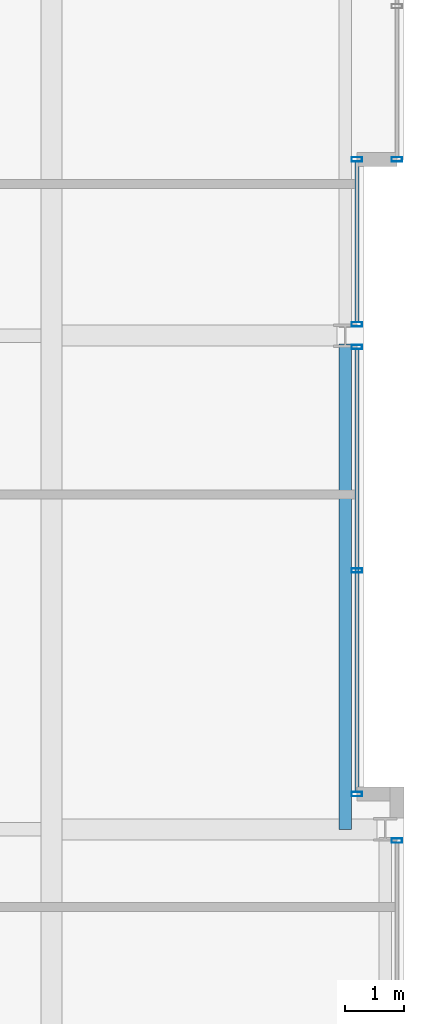
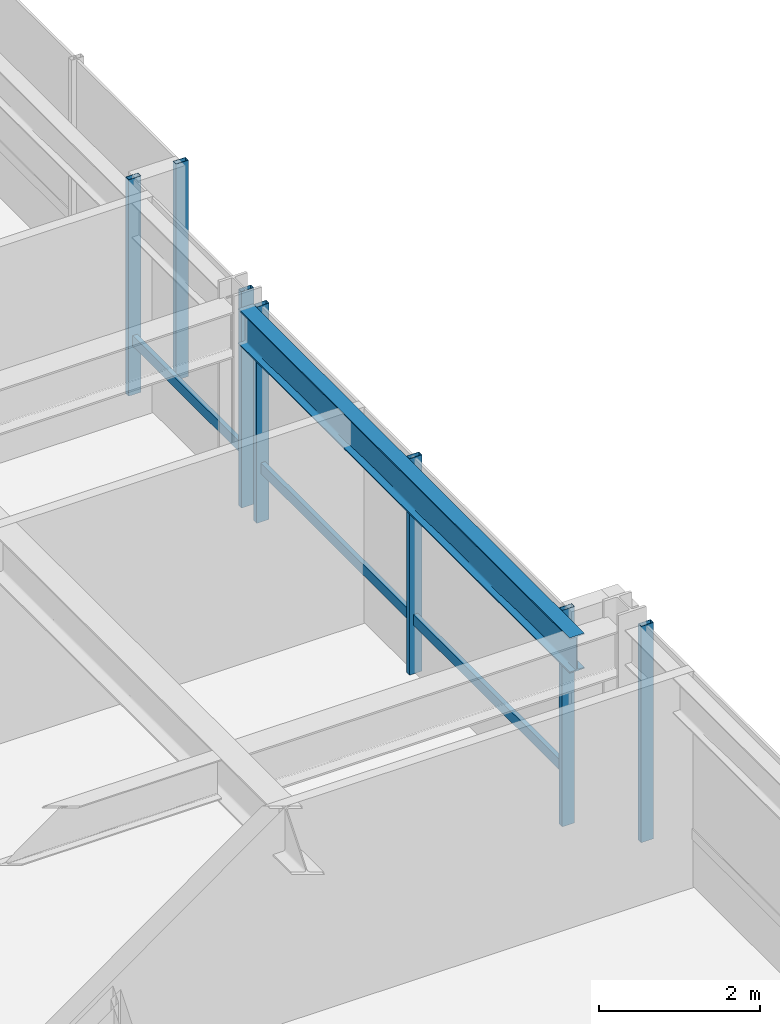
# One storey, part 15 of 32: 9 members, 1 beam, 4 elements without a shape of their own.
"""IFC4 building model written with IfcOpenShell, lengths in metres."""

from ifc_helpers import new_model, si_unit, direction, frame, origin, origin_2d, place, context, subcontext, project, spatial, hollow_rectangle, i_section, extrude, material, layer, layer_set, material_profile, profile_set, type_object, element, aggregate, save


model = new_model("IFC4")

# Units and contexts
model_context = context("Model", 3, precision=1e-05, world=origin(), true_north=direction((0.0, 1.0)))
body_context = subcontext(model_context, "Body", "Model", "MODEL_VIEW")
ifc_project = project(units=[si_unit("LENGTHUNIT", "METRE"), si_unit("AREAUNIT", "SQUARE_METRE"), si_unit("VOLUMEUNIT", "CUBIC_METRE"), si_unit("PLANEANGLEUNIT", "RADIAN"), si_unit("MASSUNIT", "GRAM", prefix="KILO")], contexts=[model_context])

# Site, building, storey
site_placement = place(None, origin())
site = spatial("IfcSite", under=ifc_project, at=site_placement, CompositionType="ELEMENT")
building_placement = place(site_placement, origin())
building = spatial("IfcBuilding", under=site, at=building_placement, Name="Drelvath Grand Hotel", CompositionType="ELEMENT")
storey_placement = place(building_placement, frame((0.0, 0.0, 193.0)))
storey = spatial("IfcBuildingStorey", under=building, at=storey_placement, Name="L50", CompositionType="ELEMENT", Elevation=193.0)

# Curtain wall, member
ifc_material_1 = material(Name="Brushed Pale-Silver Anodised Aluminium Frame", Category="aluminium")
ifc_layer = layer(ifc_material_1, 0.199951171875)
ifc_layer_set = layer_set([ifc_layer], Name="Brushed Pale-Silver Anodised Aluminium Frame")
curtain_wall_type = type_object("IfcCurtainWallType", Name="Stick Curtain Wall CW-04 Brushed Silver Upper-Mid", PredefinedType="NOTDEFINED", material=ifc_layer_set)
curtain_wall_1_placement = place(storey_placement, origin())
curtain_wall_1 = element("IfcCurtainWall", 1, at=curtain_wall_1_placement, inside=storey, type_object=curtain_wall_type, Name="L50 CW-04 Curtain Wall CW04-L50-EM1", PredefinedType="NOTDEFINED")
ifc_material_profile_1 = material_profile(ifc_material_1, hollow_rectangle(XDim=0.06494140625, YDim=0.159912109375, WallThickness=0.00390625, at=origin_2d()), Name="HSS160X65X4")
ifc_profile_set_1 = profile_set([ifc_material_profile_1], Name="Brushed Pale-Silver Anodised Aluminium Frame")
member_type_1 = type_object("IfcMemberType", Name="Curtain Wall Horizontal Transom CW-04 HSS160X65X4", PredefinedType="USERDEFINED", material=ifc_profile_set_1)
member_1_placement = place(storey_placement, frame((21.39990234375, 26.768310546875, 0.822509765625), z_axis=(0.0, -1.0, 0.0), x_axis=(1.0, 0.0, 0.0)))
member_1 = element("IfcMember", 2, at=member_1_placement, type_object=member_type_1, Name="CW04-L50-EM1 Sill Transom", ObjectType="TRANSOM", PredefinedType="USERDEFINED", context=body_context, shape_type="SweptSolid", body=[
    extrude(hollow_rectangle(XDim=0.06494140625, YDim=0.159912109375, WallThickness=0.00390625, at=origin_2d()), origin(), (0.0, 0.0, 1.0), 7.5283203125),
])

curtain_wall_2_placement = place(storey_placement, origin())
curtain_wall_2 = element("IfcCurtainWall", 3, at=curtain_wall_2_placement, inside=storey, type_object=curtain_wall_type, Name="L50 CW-04 Curtain Wall CW04-L50-EM2", PredefinedType="NOTDEFINED")
member_2_placement = place(storey_placement, frame((21.39990234375, 29.9599609375, 0.822509765625), z_axis=(0.0, -1.0, 0.0), x_axis=(1.0, 0.0, 0.0)))
member_2 = element("IfcMember", 4, at=member_2_placement, type_object=member_type_1, Name="CW04-L50-EM2 Sill Transom", ObjectType="TRANSOM", PredefinedType="USERDEFINED", context=body_context, shape_type="SweptSolid", body=[
    extrude(hollow_rectangle(XDim=0.06494140625, YDim=0.159912109375, WallThickness=0.00390625, at=origin_2d()), origin(), (0.0, 0.0, 1.0), 2.728271484375),
])

curtain_wall_3_placement = place(storey_placement, origin())
curtain_wall_3 = element("IfcCurtainWall", 5, at=curtain_wall_3_placement, inside=storey, type_object=curtain_wall_type, Name="L50 CW-04 Curtain Wall CW04-L50-EN1", PredefinedType="NOTDEFINED")
ifc_material_profile_2 = material_profile(ifc_material_1, hollow_rectangle(XDim=0.074951171875, YDim=0.179931640625, WallThickness=0.0048828125, at=origin_2d()), Name="HSS180X75X5")
ifc_profile_set_2 = profile_set([ifc_material_profile_2], Name="Brushed Pale-Silver Anodised Aluminium Frame")
member_type_2 = type_object("IfcMemberType", Name="Curtain Wall Vertical Mullion CW-04 HSS180X75X5", PredefinedType="MULLION", material=ifc_profile_set_2)
member_3_placement = place(storey_placement, frame((22.080078125, 30.0, 0.0), z_axis=(0.0, 0.0, 1.0), x_axis=(0.0, 1.0, 0.0)))
member_3 = element("IfcMember", 6, at=member_3_placement, type_object=member_type_2, Name="CW04-L50-EN1 Mullion 3", PredefinedType="MULLION", context=body_context, shape_type="SweptSolid", body=[
    extrude(hollow_rectangle(XDim=0.074951171875, YDim=0.179931640625, WallThickness=0.0048828125, at=origin_2d()), origin(), (0.0, 0.0, 1.0), 3.2900390625),
])
aggregate(curtain_wall_3, [member_3])

# Member
member_4_placement = place(storey_placement, frame((21.39990234375, 26.808349609375, 0.0), z_axis=(0.0, 0.0, 1.0), x_axis=(0.0, 1.0, 0.0)))
member_4 = element("IfcMember", 7, at=member_4_placement, type_object=member_type_2, Name="CW04-L50-EM1 Mullion 1", PredefinedType="MULLION", context=body_context, shape_type="SweptSolid", body=[
    extrude(hollow_rectangle(XDim=0.074951171875, YDim=0.179931640625, WallThickness=0.0048828125, at=origin_2d()), origin(), (0.0, 0.0, 1.0), 3.2900390625),
])

member_5_placement = place(storey_placement, frame((21.39990234375, 23.004150390625, 0.0), z_axis=(0.0, 0.0, 1.0), x_axis=(0.0, 1.0, 0.0)))
member_5 = element("IfcMember", 8, at=member_5_placement, type_object=member_type_2, Name="CW04-L50-EM1 Mullion 2", PredefinedType="MULLION", context=body_context, shape_type="SweptSolid", body=[
    extrude(hollow_rectangle(XDim=0.074951171875, YDim=0.179931640625, WallThickness=0.0048828125, at=origin_2d()), origin(), (0.0, 0.0, 1.0), 3.2900390625),
])

member_6_placement = place(storey_placement, frame((21.39990234375, 19.199951171875, 0.0), z_axis=(0.0, 0.0, 1.0), x_axis=(0.0, 1.0, 0.0)))
member_6 = element("IfcMember", 9, at=member_6_placement, type_object=member_type_2, Name="CW04-L50-EM1 Mullion 3", PredefinedType="MULLION", context=body_context, shape_type="SweptSolid", body=[
    extrude(hollow_rectangle(XDim=0.074951171875, YDim=0.179931640625, WallThickness=0.0048828125, at=origin_2d()), origin(), (0.0, 0.0, 1.0), 3.2900390625),
])

aggregate(curtain_wall_1, [member_4, member_5, member_6, member_1])

member_7_placement = place(storey_placement, frame((21.39990234375, 30.0, 0.0), z_axis=(0.0, 0.0, 1.0), x_axis=(0.0, 1.0, 0.0)))
member_7 = element("IfcMember", 10, at=member_7_placement, type_object=member_type_2, Name="CW04-L50-EM2 Mullion 1", PredefinedType="MULLION", context=body_context, shape_type="SweptSolid", body=[
    extrude(hollow_rectangle(XDim=0.074951171875, YDim=0.179931640625, WallThickness=0.0048828125, at=origin_2d()), origin(), (0.0, 0.0, 1.0), 3.2900390625),
])

member_8_placement = place(storey_placement, frame((21.39990234375, 27.191650390625, 0.0), z_axis=(0.0, 0.0, 1.0), x_axis=(0.0, 1.0, 0.0)))
member_8 = element("IfcMember", 11, at=member_8_placement, type_object=member_type_2, Name="CW04-L50-EM2 Mullion 2", PredefinedType="MULLION", context=body_context, shape_type="SweptSolid", body=[
    extrude(hollow_rectangle(XDim=0.074951171875, YDim=0.179931640625, WallThickness=0.0048828125, at=origin_2d()), origin(), (0.0, 0.0, 1.0), 3.2900390625),
])

aggregate(curtain_wall_2, [member_7, member_8, member_2])

# Curtain wall, member
curtain_wall_4_placement = place(storey_placement, origin())
curtain_wall_4 = element("IfcCurtainWall", 12, at=curtain_wall_4_placement, inside=storey, type_object=curtain_wall_type, Name="L50 CW-04 Curtain Wall CW04-L50-ES2", PredefinedType="NOTDEFINED")
member_9_placement = place(storey_placement, frame((22.080078125, 18.408447265625, 0.0), z_axis=(0.0, 0.0, 1.0), x_axis=(0.0, 1.0, 0.0)))
member_9 = element("IfcMember", 13, at=member_9_placement, type_object=member_type_2, Name="CW04-L50-ES2 Mullion 1", PredefinedType="MULLION", context=body_context, shape_type="SweptSolid", body=[
    extrude(hollow_rectangle(XDim=0.074951171875, YDim=0.179931640625, WallThickness=0.0048828125, at=origin_2d()), origin(), (0.0, 0.0, 1.0), 3.2900390625),
])
aggregate(curtain_wall_4, [member_9])

# Beam
ifc_material_2 = material(Name="Steel ASTM A992 Gr 50", Category="steel")
ifc_material_profile_3 = material_profile(ifc_material_2, i_section(OverallWidth=0.210205078125, OverallDepth=0.53662109375, WebThickness=0.010986328125, FlangeThickness=0.017333984375, FilletRadius=0.01806640625, at=origin_2d()), Name="W21X68")
ifc_profile_set_3 = profile_set([ifc_material_profile_3], Name="Steel ASTM A992 Gr 50")
beam_type = type_object("IfcBeamType", Name="Perimeter Spandrel Beam W21X68", PredefinedType="SPANDREL", material=ifc_profile_set_3)
beam_placement = place(storey_placement, frame((21.199951171875, 18.60009765625, 3.021484375), z_axis=(0.0, 1.0, 0.0), x_axis=(-1.0, 0.0, 0.0)))
element("IfcBeam", 14, at=beam_placement, inside=storey, type_object=beam_type, Name="L50 Spandrel East Mid S", PredefinedType="SPANDREL", context=body_context, shape_type="SweptSolid", body=[
    extrude(i_section(OverallWidth=0.210205078125, OverallDepth=0.53662109375, WebThickness=0.010986328125, FlangeThickness=0.017333984375, FilletRadius=0.01806640625, at=origin_2d()), origin(), (0.0, 0.0, 1.0), 8.260009765625),
])

save(model, "model.ifc")
